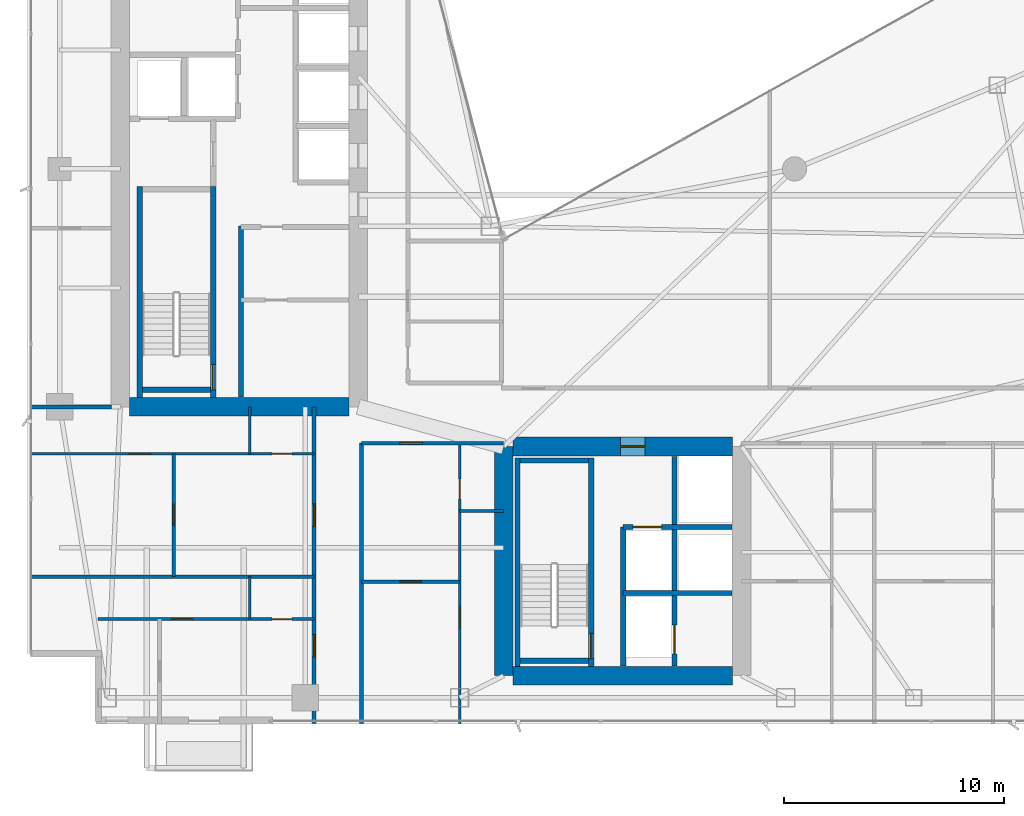
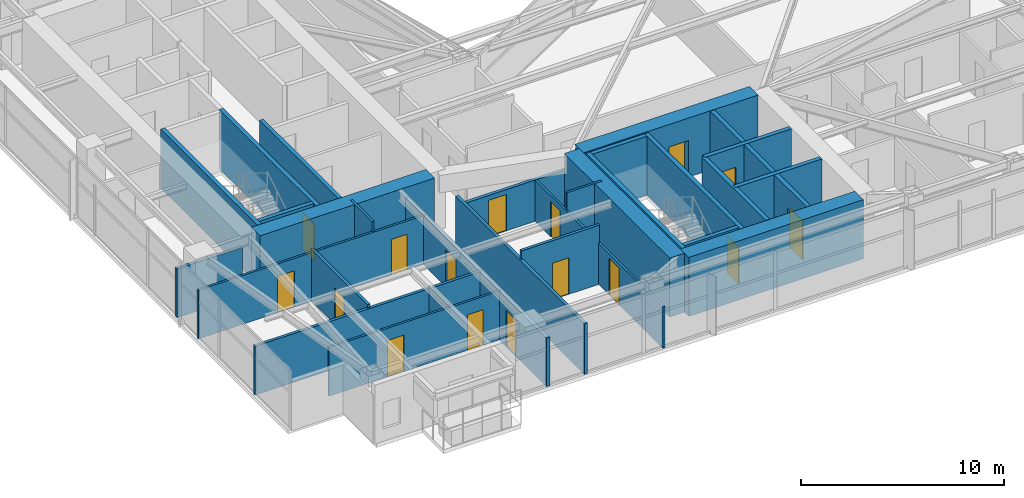
# One storey, part 22 of 28: 29 walls, 16 doors, 16 openings.
"""IFC4 building model written with IfcOpenShell, lengths in metres."""

from ifc_helpers import new_model, si_unit, direction, frame, frame_2d, origin, place, context, subcontext, project, spatial, rectangle, extrude, material, layer, layer_set, type_object, element, fill, save


model = new_model("IFC4")

# Units and contexts
model_context = context("Model", 3, precision=1e-05, world=origin(), true_north=direction((0.0, 1.0)))
body_context = subcontext(model_context, "Body", "Model", "MODEL_VIEW")
ifc_project = project(units=[si_unit("LENGTHUNIT", "METRE"), si_unit("AREAUNIT", "SQUARE_METRE"), si_unit("VOLUMEUNIT", "CUBIC_METRE"), si_unit("PLANEANGLEUNIT", "RADIAN"), si_unit("MASSUNIT", "GRAM", prefix="KILO")], contexts=[model_context])

# Site, building, storey
site_placement = place(None, origin())
site = spatial("IfcSite", under=ifc_project, at=site_placement, CompositionType="ELEMENT")
building_placement = place(site_placement, origin())
building = spatial("IfcBuilding", under=site, at=building_placement, Name="Calvorn Quay Hotel", CompositionType="ELEMENT")
storey_placement = place(building_placement, frame((0.0, 0.0, 156.10009765625)))
storey = spatial("IfcBuildingStorey", under=building, at=storey_placement, Name="L38", CompositionType="ELEMENT", Elevation=156.10009765625)

# Walls
ifc_material_1 = material(Name="Concrete C50", Category="concrete")
ifc_layer_1 = layer(ifc_material_1, 0.85009765625)
ifc_layer_set_1 = layer_set([ifc_layer_1], Name="WL-CORE-850")
wall_type_1 = type_object("IfcWallType", Name="WL-CORE-850", PredefinedType="SHEAR", material=ifc_layer_set_1)
wall_1_placement = place(storey_placement, frame((4.625, 16.800048828125, 0.0), z_axis=(0.0, 0.0, 1.0), x_axis=(1.0, 0.0, 0.0)))
element("IfcWall", 1, at=wall_1_placement, inside=storey, type_object=wall_type_1, Name="West Core Shear Wall S (L38)", PredefinedType="SHEAR", context=body_context, shape_type="SweptSolid", body=[
    extrude(rectangle(XDim=9.949951171875, YDim=0.85009765625, at=frame_2d((4.97509765625, 0.0))), origin(), (0.0, 0.0, 1.0), 3.559814453125),
])
wall_2_placement = place(storey_placement, frame((21.60009765625, 4.60009765625, 0.0), z_axis=(0.0, 0.0, 1.0), x_axis=(0.0, 1.0, 0.0)))
element("IfcWall", 2, at=wall_2_placement, inside=storey, type_object=wall_type_1, Name="East Core Shear Wall W (L38)", PredefinedType="SHEAR", context=body_context, shape_type="SweptSolid", body=[
    extrude(rectangle(XDim=10.39990234375, YDim=0.85009765625, at=frame_2d((5.199951171875, 0.0))), origin(), (0.0, 0.0, 1.0), 3.559814453125),
])

# Wall, opening, door
wall_3_placement = place(storey_placement, frame((22.02490234375, 15.0, 0.0), z_axis=(0.0, 0.0, 1.0), x_axis=(1.0, 0.0, 0.0)))
wall_3 = element("IfcWall", 3, at=wall_3_placement, inside=storey, type_object=wall_type_1, Name="East Core Shear Wall N (L38)", PredefinedType="SHEAR", context=body_context, shape_type="SweptSolid", body=[
    extrude(rectangle(XDim=9.9501953125, YDim=0.85009765625, at=frame_2d((4.97509765625, 0.0))), origin(), (0.0, 0.0, 1.0), 3.559814453125),
])
opening_1_placement = place(wall_3_placement, frame((4.8798828125, 0.0, 0.0)))
opening_1 = element("IfcOpeningElement", 4, at=opening_1_placement, cuts=wall_3, Name="Opening D-L38-FLE", PredefinedType="OPENING", context=body_context, shape_type="SweptSolid", body=[
    extrude(rectangle(XDim=1.10009765625, YDim=2.199951171875, at=frame_2d((0.550048828125, 1.10009765625))), frame((0.0, 0.43505859375, 0.0), z_axis=(0.0, -1.0, 0.0), x_axis=(1.0, 0.0, 0.0)), (0.0, 0.0, 1.0), 0.8701171875),
])
ifc_material_2 = material(Name="Smoke-Sealed Steel Class A Fire Door", Category="steel")
door_type_1 = type_object("IfcDoorType", Name="DR-FFLOBBY-1100", OperationType="NOTDEFINED", PredefinedType="DOOR", material=ifc_material_2)
door_1_placement = place(opening_1_placement, origin())
door_1 = element("IfcDoor", 5, at=door_1_placement, inside=storey, type_object=door_type_1, Name="East Firefighting Lobby Fire Door (L38)", OperationType="SINGLE_SWING_RIGHT", OverallHeight=2.199951171875, OverallWidth=1.10009765625, PredefinedType="DOOR", context=body_context, shape_type="SweptSolid", body=[
    extrude(rectangle(XDim=1.10009765625, YDim=2.199951171875, at=frame_2d((0.550048828125, 1.10009765625))), frame((0.0, 0.02490234375, 0.0), z_axis=(0.0, -1.0, 0.0), x_axis=(1.0, 0.0, 0.0)), (0.0, 0.0, 1.0), 0.050048828125),
])
fill(opening_1, door_1)

# Walls
wall_4_placement = place(storey_placement, frame((22.02490234375, 4.60009765625, 0.0), z_axis=(0.0, 0.0, 1.0), x_axis=(1.0, 0.0, 0.0)))
element("IfcWall", 6, at=wall_4_placement, inside=storey, type_object=wall_type_1, Name="East Core Shear Wall S (L38)", PredefinedType="SHEAR", context=body_context, shape_type="SweptSolid", body=[
    extrude(rectangle(XDim=9.9501953125, YDim=0.85009765625, at=frame_2d((4.97509765625, 0.0))), origin(), (0.0, 0.0, 1.0), 3.559814453125),
])
ifc_material_3 = material(Name="Acoustic Fireboard Steel-Stud Partition", Category="steel")
ifc_layer_2 = layer(ifc_material_3, 0.179931640625)
ifc_layer_set_2 = layer_set([ifc_layer_2], Name="WL-CORR-FIRE-180")
wall_type_2 = type_object("IfcWallType", Name="WL-CORR-FIRE-180", PredefinedType="PARTITIONING", material=ifc_layer_set_2)
wall_5_placement = place(storey_placement, frame((0.080078125, 16.800048828125, 0.0), z_axis=(0.0, 0.0, 1.0), x_axis=(1.0, 0.0, 0.0)))
element("IfcWall", 7, at=wall_5_placement, inside=storey, type_object=wall_type_2, Name="Partition Wall L38-WL-WBAY-S-WALL", PredefinedType="PARTITIONING", context=body_context, shape_type="SweptSolid", body=[
    extrude(rectangle(XDim=3.724853515625, YDim=0.179931640625, at=frame_2d((1.8623046875, 0.0))), origin(), (0.0, 0.0, 1.0), 2.93994140625),
])

# Wall, openings, doors
wall_6_placement = place(storey_placement, frame((13.0, 2.43994140625, 0.0), z_axis=(0.0, 0.0, 1.0), x_axis=(0.0, 1.0, 0.0)))
wall_6 = element("IfcWall", 8, at=wall_6_placement, inside=storey, type_object=wall_type_2, Name="Partition Wall L38-WL-CORR-SW-LEG-W", PredefinedType="PARTITIONING", context=body_context, shape_type="SweptSolid", body=[
    extrude(rectangle(XDim=14.360107421875, YDim=0.179931640625, at=frame_2d((7.18017578125, 0.0))), origin(), (0.0, 0.0, 1.0), 2.93994140625),
])
opening_2_placement = place(wall_6_placement, frame((3.010009765625, 0.0, 0.0)))
opening_2 = element("IfcOpeningElement", 9, at=opening_2_placement, cuts=wall_6, Name="Opening D-L38-U01", PredefinedType="OPENING", context=body_context, shape_type="SweptSolid", body=[
    extrude(rectangle(XDim=1.02001953125, YDim=2.199951171875, at=frame_2d((0.510009765625, 1.10009765625))), frame((0.0, 0.099853515625, 0.0), z_axis=(0.0, -1.0, 0.0), x_axis=(1.0, 0.0, 0.0)), (0.0, 0.0, 1.0), 0.199951171875),
])
opening_3_placement = place(wall_6_placement, frame((8.93994140625, 0.0, 0.0)))
opening_3 = element("IfcOpeningElement", 10, at=opening_3_placement, cuts=wall_6, Name="Opening D-L38-U02", PredefinedType="OPENING", context=body_context, shape_type="SweptSolid", body=[
    extrude(rectangle(XDim=1.02001953125, YDim=2.199951171875, at=frame_2d((0.510009765625, 1.10009765625))), frame((0.0, 0.099853515625, 0.0), z_axis=(0.0, -1.0, 0.0), x_axis=(1.0, 0.0, 0.0)), (0.0, 0.0, 1.0), 0.199951171875),
])
ifc_material_4 = material(Name="Solid-Core Walnut Veneer Hotel Fire Door")
door_type_2 = type_object("IfcDoorType", Name="DR-GUEST-ENTRY-1020", OperationType="NOTDEFINED", PredefinedType="DOOR", material=ifc_material_4)
door_2_placement = place(opening_2_placement, origin())
door_2 = element("IfcDoor", 11, at=door_2_placement, inside=storey, type_object=door_type_2, Name="South-West Unit Door U01 (L38)", OperationType="SINGLE_SWING_LEFT", OverallHeight=2.199951171875, OverallWidth=1.02001953125, PredefinedType="DOOR", context=body_context, shape_type="SweptSolid", body=[
    extrude(rectangle(XDim=1.02001953125, YDim=2.199951171875, at=frame_2d((0.510009765625, 1.10009765625))), frame((0.0, 0.02490234375, 0.0), z_axis=(0.0, -1.0, 0.0), x_axis=(1.0, 0.0, 0.0)), (0.0, 0.0, 1.0), 0.050048828125),
])
fill(opening_2, door_2)
door_3_placement = place(opening_3_placement, origin())
door_3 = element("IfcDoor", 12, at=door_3_placement, inside=storey, type_object=door_type_2, Name="South-West Unit Door U02 (L38)", OperationType="SINGLE_SWING_RIGHT", OverallHeight=2.199951171875, OverallWidth=1.02001953125, PredefinedType="DOOR", context=body_context, shape_type="SweptSolid", body=[
    extrude(rectangle(XDim=1.02001953125, YDim=2.199951171875, at=frame_2d((0.510009765625, 1.10009765625))), frame((0.0, 0.02490234375, 0.0), z_axis=(0.0, -1.0, 0.0), x_axis=(1.0, 0.0, 0.0)), (0.0, 0.0, 1.0), 0.050048828125),
])
fill(opening_3, door_3)

# Wall
wall_7_placement = place(storey_placement, frame((15.14990234375, 2.43994140625, 0.0), z_axis=(0.0, 0.0, 1.0), x_axis=(0.0, 1.0, 0.0)))
element("IfcWall", 13, at=wall_7_placement, inside=storey, type_object=wall_type_2, Name="Partition Wall L38-WL-CORR-SW-W", PredefinedType="PARTITIONING", context=body_context, shape_type="SweptSolid", body=[
    extrude(rectangle(XDim=12.7099609375, YDim=0.179931640625, at=frame_2d((6.35498046875, 0.0))), origin(), (0.0, 0.0, 1.0), 3.039794921875),
])

# Wall, opening, door
wall_8_placement = place(storey_placement, frame((15.14990234375, 15.14990234375, 0.0), z_axis=(0.0, 0.0, 1.0), x_axis=(1.0, 0.0, 0.0)))
wall_8 = element("IfcWall", 14, at=wall_8_placement, inside=storey, type_object=wall_type_2, Name="Partition Wall L38-WL-SC-CORR-S", PredefinedType="PARTITIONING", context=body_context, shape_type="SweptSolid", body=[
    extrude(rectangle(XDim=6.4501953125, YDim=0.179931640625, at=frame_2d((3.22509765625, 0.0))), origin(), (0.0, 0.0, 1.0), 2.489990234375),
])
opening_4_placement = place(wall_8_placement, frame((1.739990234375, 0.0, 0.0)))
opening_4 = element("IfcOpeningElement", 15, at=opening_4_placement, cuts=wall_8, Name="Opening D-L38-U03", PredefinedType="OPENING", context=body_context, shape_type="SweptSolid", body=[
    extrude(rectangle(XDim=1.02001953125, YDim=2.199951171875, at=frame_2d((0.510009765625, 1.10009765625))), frame((0.0, 0.099853515625, 0.0), z_axis=(0.0, -1.0, 0.0), x_axis=(1.0, 0.0, 0.0)), (0.0, 0.0, 1.0), 0.199951171875),
])
door_4_placement = place(opening_4_placement, origin())
door_4 = element("IfcDoor", 16, at=door_4_placement, inside=storey, type_object=door_type_2, Name="Harbour Central Unit Door (L38)", OperationType="SINGLE_SWING_LEFT", OverallHeight=2.199951171875, OverallWidth=1.02001953125, PredefinedType="DOOR", context=body_context, shape_type="SweptSolid", body=[
    extrude(rectangle(XDim=1.02001953125, YDim=2.199951171875, at=frame_2d((0.510009765625, 1.10009765625))), frame((0.0, 0.02490234375, 0.0), z_axis=(0.0, -1.0, 0.0), x_axis=(1.0, 0.0, 0.0)), (0.0, 0.0, 1.0), 0.050048828125),
])
fill(opening_4, door_4)

# Wall
ifc_material_5 = material(Name="Moisture-Resistant Tile-Backed Partition")
ifc_layer_3 = layer(ifc_material_5, 0.125)
ifc_layer_set_3 = layer_set([ifc_layer_3], Name="WL-ENSUITE-125")
wall_type_3 = type_object("IfcWallType", Name="WL-ENSUITE-125", PredefinedType="PARTITIONING", material=ifc_layer_set_3)
wall_9_placement = place(storey_placement, frame((10.080078125, 7.169921875, 0.0), z_axis=(0.0, 0.0, 1.0), x_axis=(0.0, 1.0, 0.0)))
element("IfcWall", 17, at=wall_9_placement, inside=storey, type_object=wall_type_3, Name="Partition Wall L38-WL-U01-BDV", PredefinedType="PARTITIONING", context=body_context, shape_type="SweptSolid", body=[
    extrude(rectangle(XDim=1.93017578125, YDim=0.125, at=frame_2d((0.965087890625, 0.0))), origin(), (0.0, 0.0, 1.0), 3.08984375),
])

# Wall, openings, doors
wall_10_placement = place(storey_placement, frame((3.199951171875, 7.169921875, 0.0), z_axis=(0.0, 0.0, 1.0), x_axis=(1.0, 0.0, 0.0)))
wall_10 = element("IfcWall", 18, at=wall_10_placement, inside=storey, type_object=wall_type_3, Name="Partition Wall L38-WL-U01-BH", PredefinedType="PARTITIONING", context=body_context, shape_type="SweptSolid", body=[
    extrude(rectangle(XDim=9.800048828125, YDim=0.125, at=frame_2d((4.89990234375, 0.0))), origin(), (0.0, 0.0, 1.0), 2.93994140625),
])
opening_5_placement = place(wall_10_placement, frame((3.320068359375, 0.0, 0.0)))
opening_5 = element("IfcOpeningElement", 19, at=opening_5_placement, cuts=wall_10, Name="Opening D-L38-S01", PredefinedType="OPENING", context=body_context, shape_type="SweptSolid", body=[
    extrude(rectangle(XDim=0.9599609375, YDim=2.199951171875, at=frame_2d((0.47998046875, 1.10009765625))), frame((0.0, 0.072509765625, 0.0), z_axis=(0.0, -1.0, 0.0), x_axis=(1.0, 0.0, 0.0)), (0.0, 0.0, 1.0), 0.14501953125),
])
opening_6_placement = place(wall_10_placement, frame((7.889892578125, 0.0, 0.0)))
opening_6 = element("IfcOpeningElement", 20, at=opening_6_placement, cuts=wall_10, Name="Opening D-L38-E01", PredefinedType="OPENING", context=body_context, shape_type="SweptSolid", body=[
    extrude(rectangle(XDim=0.89990234375, YDim=2.14990234375, at=frame_2d((0.449951171875, 1.074951171875))), frame((0.0, 0.072509765625, 0.0), z_axis=(0.0, -1.0, 0.0), x_axis=(1.0, 0.0, 0.0)), (0.0, 0.0, 1.0), 0.14501953125),
])
ifc_material_6 = material(Name="Moisture-Sealed Timber En-Suite Door", Category="wood")
door_type_3 = type_object("IfcDoorType", Name="DR-ENSUITE-900", OperationType="NOTDEFINED", PredefinedType="DOOR", material=ifc_material_6)
door_5_placement = place(opening_6_placement, origin())
door_5 = element("IfcDoor", 21, at=door_5_placement, inside=storey, type_object=door_type_3, Name="En-Suite Door 01", OperationType="SINGLE_SWING_RIGHT", OverallHeight=2.14990234375, OverallWidth=0.89990234375, PredefinedType="DOOR", context=body_context, shape_type="SweptSolid", body=[
    extrude(rectangle(XDim=0.89990234375, YDim=2.14990234375, at=frame_2d((0.449951171875, 1.074951171875))), frame((0.0, 0.02490234375, 0.0), z_axis=(0.0, -1.0, 0.0), x_axis=(1.0, 0.0, 0.0)), (0.0, 0.0, 1.0), 0.050048828125),
])
fill(opening_6, door_5)
ifc_material_7 = material(Name="Solid Timber Internal Suite Door", Category="wood")
door_type_4 = type_object("IfcDoorType", Name="DR-SUITE-INT-960", OperationType="NOTDEFINED", PredefinedType="DOOR", material=ifc_material_7)
door_6_placement = place(opening_5_placement, origin())
door_6 = element("IfcDoor", 22, at=door_6_placement, inside=storey, type_object=door_type_4, Name="Spa Therapy Room Door 01", OperationType="SINGLE_SWING_LEFT", OverallHeight=2.199951171875, OverallWidth=0.9599609375, PredefinedType="DOOR", context=body_context, shape_type="SweptSolid", body=[
    extrude(rectangle(XDim=0.9599609375, YDim=2.199951171875, at=frame_2d((0.47998046875, 1.10009765625))), frame((0.0, 0.02490234375, 0.0), z_axis=(0.0, -1.0, 0.0), x_axis=(1.0, 0.0, 0.0)), (0.0, 0.0, 1.0), 0.050048828125),
])
fill(opening_5, door_6)

# Wall
wall_11_placement = place(storey_placement, frame((10.080078125, 14.669921875, 0.0), z_axis=(0.0, 0.0, 1.0), x_axis=(0.0, 1.0, 0.0)))
element("IfcWall", 23, at=wall_11_placement, inside=storey, type_object=wall_type_3, Name="Partition Wall L38-WL-U02-BDV", PredefinedType="PARTITIONING", context=body_context, shape_type="SweptSolid", body=[
    extrude(rectangle(XDim=2.130126953125, YDim=0.125, at=frame_2d((1.06494140625, 0.0))), origin(), (0.0, 0.0, 1.0), 3.559814453125),
])

# Wall, openings, doors
wall_12_placement = place(storey_placement, frame((0.080078125, 14.669921875, 0.0), z_axis=(0.0, 0.0, 1.0), x_axis=(1.0, 0.0, 0.0)))
wall_12 = element("IfcWall", 24, at=wall_12_placement, inside=storey, type_object=wall_type_3, Name="Partition Wall L38-WL-U02-BH", PredefinedType="PARTITIONING", context=body_context, shape_type="SweptSolid", body=[
    extrude(rectangle(XDim=12.919921875, YDim=0.125, at=frame_2d((6.4599609375, 0.0))), origin(), (0.0, 0.0, 1.0), 2.93994140625),
])
opening_7_placement = place(wall_12_placement, frame((4.52001953125, 0.0, 0.0)))
opening_7 = element("IfcOpeningElement", 25, at=opening_7_placement, cuts=wall_12, Name="Opening D-L38-S02", PredefinedType="OPENING", context=body_context, shape_type="SweptSolid", body=[
    extrude(rectangle(XDim=0.9599609375, YDim=2.199951171875, at=frame_2d((0.47998046875, 1.10009765625))), frame((0.0, 0.072509765625, 0.0), z_axis=(0.0, -1.0, 0.0), x_axis=(1.0, 0.0, 0.0)), (0.0, 0.0, 1.0), 0.14501953125),
])
opening_8_placement = place(wall_12_placement, frame((11.010009765625, 0.0, 0.0)))
opening_8 = element("IfcOpeningElement", 26, at=opening_8_placement, cuts=wall_12, Name="Opening D-L38-E02", PredefinedType="OPENING", context=body_context, shape_type="SweptSolid", body=[
    extrude(rectangle(XDim=0.89990234375, YDim=2.14990234375, at=frame_2d((0.449951171875, 1.074951171875))), frame((0.0, 0.072509765625, 0.0), z_axis=(0.0, -1.0, 0.0), x_axis=(1.0, 0.0, 0.0)), (0.0, 0.0, 1.0), 0.14501953125),
])
door_7_placement = place(opening_8_placement, origin())
door_7 = element("IfcDoor", 27, at=door_7_placement, inside=storey, type_object=door_type_3, Name="En-Suite Door 02", OperationType="SINGLE_SWING_RIGHT", OverallHeight=2.14990234375, OverallWidth=0.89990234375, PredefinedType="DOOR", context=body_context, shape_type="SweptSolid", body=[
    extrude(rectangle(XDim=0.89990234375, YDim=2.14990234375, at=frame_2d((0.449951171875, 1.074951171875))), frame((0.0, 0.02490234375, 0.0), z_axis=(0.0, -1.0, 0.0), x_axis=(1.0, 0.0, 0.0)), (0.0, 0.0, 1.0), 0.050048828125),
])
fill(opening_8, door_7)
door_8_placement = place(opening_7_placement, origin())
door_8 = element("IfcDoor", 28, at=door_8_placement, inside=storey, type_object=door_type_4, Name="Spa Therapy Room Door 02", OperationType="SINGLE_SWING_LEFT", OverallHeight=2.199951171875, OverallWidth=0.9599609375, PredefinedType="DOOR", context=body_context, shape_type="SweptSolid", body=[
    extrude(rectangle(XDim=0.9599609375, YDim=2.199951171875, at=frame_2d((0.47998046875, 1.10009765625))), frame((0.0, 0.02490234375, 0.0), z_axis=(0.0, -1.0, 0.0), x_axis=(1.0, 0.0, 0.0)), (0.0, 0.0, 1.0), 0.050048828125),
])
fill(opening_7, door_8)

# Wall
wall_13_placement = place(storey_placement, frame((19.60009765625, 12.070068359375, 0.0), z_axis=(0.0, 0.0, 1.0), x_axis=(1.0, 0.0, 0.0)))
element("IfcWall", 29, at=wall_13_placement, inside=storey, type_object=wall_type_3, Name="Partition Wall L38-WL-U03-BDV", PredefinedType="PARTITIONING", context=body_context, shape_type="SweptSolid", body=[
    extrude(rectangle(XDim=2.0, YDim=0.125, at=frame_2d((1.0, 0.0))), origin(), (0.0, 0.0, 1.0), 3.559814453125),
])

# Wall, openings, doors
wall_14_placement = place(storey_placement, frame((19.60009765625, 2.43994140625, 0.0), z_axis=(0.0, 0.0, 1.0), x_axis=(0.0, 1.0, 0.0)))
wall_14 = element("IfcWall", 30, at=wall_14_placement, inside=storey, type_object=wall_type_3, Name="Partition Wall L38-WL-U03-BV", PredefinedType="PARTITIONING", context=body_context, shape_type="SweptSolid", body=[
    extrude(rectangle(XDim=12.7099609375, YDim=0.125, at=frame_2d((6.35498046875, 0.0))), origin(), (0.0, 0.0, 1.0), 2.489990234375),
])
opening_9_placement = place(wall_14_placement, frame((4.340087890625, 0.0, 0.0)))
opening_9 = element("IfcOpeningElement", 31, at=opening_9_placement, cuts=wall_14, Name="Opening D-L38-S03", PredefinedType="OPENING", context=body_context, shape_type="SweptSolid", body=[
    extrude(rectangle(XDim=0.9599609375, YDim=2.199951171875, at=frame_2d((0.47998046875, 1.10009765625))), frame((0.0, 0.072509765625, 0.0), z_axis=(0.0, -1.0, 0.0), x_axis=(1.0, 0.0, 0.0)), (0.0, 0.0, 1.0), 0.14501953125),
])
opening_10_placement = place(wall_14_placement, frame((10.179931640625, 0.0, 0.0)))
opening_10 = element("IfcOpeningElement", 32, at=opening_10_placement, cuts=wall_14, Name="Opening D-L38-E03", PredefinedType="OPENING", context=body_context, shape_type="SweptSolid", body=[
    extrude(rectangle(XDim=0.89990234375, YDim=2.14990234375, at=frame_2d((0.449951171875, 1.074951171875))), frame((0.0, 0.072509765625, 0.0), z_axis=(0.0, -1.0, 0.0), x_axis=(1.0, 0.0, 0.0)), (0.0, 0.0, 1.0), 0.14501953125),
])
door_9_placement = place(opening_10_placement, origin())
door_9 = element("IfcDoor", 33, at=door_9_placement, inside=storey, type_object=door_type_3, Name="En-Suite Door 03", OperationType="SINGLE_SWING_RIGHT", OverallHeight=2.14990234375, OverallWidth=0.89990234375, PredefinedType="DOOR", context=body_context, shape_type="SweptSolid", body=[
    extrude(rectangle(XDim=0.89990234375, YDim=2.14990234375, at=frame_2d((0.449951171875, 1.074951171875))), frame((0.0, 0.02490234375, 0.0), z_axis=(0.0, -1.0, 0.0), x_axis=(1.0, 0.0, 0.0)), (0.0, 0.0, 1.0), 0.050048828125),
])
fill(opening_10, door_9)
door_10_placement = place(opening_9_placement, origin())
door_10 = element("IfcDoor", 34, at=door_10_placement, inside=storey, type_object=door_type_4, Name="Spa Therapy Room Door 03", OperationType="SINGLE_SWING_LEFT", OverallHeight=2.199951171875, OverallWidth=0.9599609375, PredefinedType="DOOR", context=body_context, shape_type="SweptSolid", body=[
    extrude(rectangle(XDim=0.9599609375, YDim=2.199951171875, at=frame_2d((0.47998046875, 1.10009765625))), frame((0.0, 0.02490234375, 0.0), z_axis=(0.0, -1.0, 0.0), x_axis=(1.0, 0.0, 0.0)), (0.0, 0.0, 1.0), 0.050048828125),
])
fill(opening_9, door_10)

# Wall, opening, door
ifc_material_8 = material(Name="Double-Stud Acoustic Gypsum Partition")
ifc_layer_4 = layer(ifc_material_8, 0.159912109375)
ifc_layer_set_4 = layer_set([ifc_layer_4], Name="WL-INTERSUITE-160")
wall_type_4 = type_object("IfcWallType", Name="WL-INTERSUITE-160", PredefinedType="PARTITIONING", material=ifc_layer_set_4)
wall_15_placement = place(storey_placement, frame((6.6201171875, 9.10009765625, 0.0), z_axis=(0.0, 0.0, 1.0), x_axis=(0.0, 1.0, 0.0)))
wall_15 = element("IfcWall", 35, at=wall_15_placement, inside=storey, type_object=wall_type_4, Name="Partition Wall L38-WL-U02-MSP", PredefinedType="PARTITIONING", context=body_context, shape_type="SweptSolid", body=[
    extrude(rectangle(XDim=5.56982421875, YDim=0.159912109375, at=frame_2d((2.784912109375, 0.0))), origin(), (0.0, 0.0, 1.0), 3.139892578125),
])
opening_11_placement = place(wall_15_placement, frame((2.31005859375, 0.0, 0.0)))
opening_11 = element("IfcOpeningElement", 36, at=opening_11_placement, cuts=wall_15, Name="Opening D-L38-M02", PredefinedType="OPENING", context=body_context, shape_type="SweptSolid", body=[
    extrude(rectangle(XDim=0.9599609375, YDim=2.199951171875, at=frame_2d((0.47998046875, 1.10009765625))), frame((0.0, 0.08984375, 0.0), z_axis=(0.0, -1.0, 0.0), x_axis=(1.0, 0.0, 0.0)), (0.0, 0.0, 1.0), 0.179931640625),
])
door_11_placement = place(opening_11_placement, origin())
door_11 = element("IfcDoor", 37, at=door_11_placement, inside=storey, type_object=door_type_4, Name="Suite Bedroom Door 02", OperationType="SINGLE_SWING_LEFT", OverallHeight=2.199951171875, OverallWidth=0.9599609375, PredefinedType="DOOR", context=body_context, shape_type="SweptSolid", body=[
    extrude(rectangle(XDim=0.9599609375, YDim=2.199951171875, at=frame_2d((0.47998046875, 1.10009765625))), frame((0.0, 0.02490234375, 0.0), z_axis=(0.0, -1.0, 0.0), x_axis=(1.0, 0.0, 0.0)), (0.0, 0.0, 1.0), 0.050048828125),
])
fill(opening_11, door_11)

# Wall
wall_16_placement = place(storey_placement, frame((0.080078125, 9.10009765625, 0.0), z_axis=(0.0, 0.0, 1.0), x_axis=(1.0, 0.0, 0.0)))
element("IfcWall", 38, at=wall_16_placement, inside=storey, type_object=wall_type_4, Name="Partition Wall L38-WL-SW-DIV-1", PredefinedType="PARTITIONING", context=body_context, shape_type="SweptSolid", body=[
    extrude(rectangle(XDim=12.919921875, YDim=0.159912109375, at=frame_2d((6.4599609375, 0.0))), origin(), (0.0, 0.0, 1.0), 2.93994140625),
])

# Wall, opening, door
wall_17_placement = place(storey_placement, frame((15.14990234375, 8.8701171875, 0.0), z_axis=(0.0, 0.0, 1.0), x_axis=(1.0, 0.0, 0.0)))
wall_17 = element("IfcWall", 39, at=wall_17_placement, inside=storey, type_object=wall_type_4, Name="Partition Wall L38-WL-U03-MSP", PredefinedType="PARTITIONING", context=body_context, shape_type="SweptSolid", body=[
    extrude(rectangle(XDim=4.4501953125, YDim=0.159912109375, at=frame_2d((2.22509765625, 0.0))), origin(), (0.0, 0.0, 1.0), 3.559814453125),
])
opening_12_placement = place(wall_17_placement, frame((1.75, 0.0, 0.0)))
opening_12 = element("IfcOpeningElement", 40, at=opening_12_placement, cuts=wall_17, Name="Opening D-L38-M03", PredefinedType="OPENING", context=body_context, shape_type="SweptSolid", body=[
    extrude(rectangle(XDim=0.9599609375, YDim=2.199951171875, at=frame_2d((0.47998046875, 1.10009765625))), frame((0.0, 0.08984375, 0.0), z_axis=(0.0, -1.0, 0.0), x_axis=(1.0, 0.0, 0.0)), (0.0, 0.0, 1.0), 0.179931640625),
])
door_12_placement = place(opening_12_placement, origin())
door_12 = element("IfcDoor", 41, at=door_12_placement, inside=storey, type_object=door_type_4, Name="Suite Bedroom Door 03", OperationType="SINGLE_SWING_LEFT", OverallHeight=2.199951171875, OverallWidth=0.9599609375, PredefinedType="DOOR", context=body_context, shape_type="SweptSolid", body=[
    extrude(rectangle(XDim=0.9599609375, YDim=2.199951171875, at=frame_2d((0.47998046875, 1.10009765625))), frame((0.0, 0.02490234375, 0.0), z_axis=(0.0, -1.0, 0.0), x_axis=(1.0, 0.0, 0.0)), (0.0, 0.0, 1.0), 0.050048828125),
])
fill(opening_12, door_12)

# Walls
ifc_material_9 = material(Name="Autoclaved Aerated Masonry Block", Category="masonry")
ifc_layer_5 = layer(ifc_material_9, 0.219970703125)
ifc_layer_set_5 = layer_set([ifc_layer_5], Name="WL-LOBBY-FIRE-220")
wall_type_5 = type_object("IfcWallType", Name="WL-LOBBY-FIRE-220", PredefinedType="SOLIDWALL", material=ifc_layer_set_5)
wall_18_placement = place(storey_placement, frame((9.679931640625, 17.2451171875, 0.0), z_axis=(0.0, 0.0, 1.0), x_axis=(0.0, 1.0, 0.0)))
element("IfcWall", 42, at=wall_18_placement, inside=storey, type_object=wall_type_5, Name="Partition Wall L38-WL-CWW-STW-HALL-E", PredefinedType="SOLIDWALL", context=body_context, shape_type="SweptSolid", body=[
    extrude(rectangle(XDim=7.7548828125, YDim=0.219970703125, at=frame_2d((3.87744140625, 0.0))), origin(), (0.0, 0.0, 1.0), 3.559814453125),
])
ifc_material_10 = material(Name="Concrete C40", Category="concrete")
ifc_layer_6 = layer(ifc_material_10, 0.239990234375)
ifc_layer_set_6 = layer_set([ifc_layer_6], Name="WL-SHAFT-240")
wall_type_6 = type_object("IfcWallType", Name="WL-SHAFT-240", PredefinedType="SOLIDWALL", material=ifc_layer_set_6)
wall_19_placement = place(storey_placement, frame((5.080078125, 17.22509765625, 0.0), z_axis=(0.0, 0.0, 1.0), x_axis=(0.0, 1.0, 0.0)))
element("IfcWall", 43, at=wall_19_placement, inside=storey, type_object=wall_type_6, Name="Stair STW Shaft Wall W (L38)", PredefinedType="SOLIDWALL", context=body_context, shape_type="SweptSolid", body=[
    extrude(rectangle(XDim=9.56494140625, YDim=0.239990234375, at=frame_2d((4.782470703125, 0.0))), origin(), (0.0, 0.0, 1.0), 3.559814453125),
])

# Wall, opening, door
wall_20_placement = place(storey_placement, frame((8.419921875, 17.22509765625, 0.0), z_axis=(0.0, 0.0, 1.0), x_axis=(0.0, 1.0, 0.0)))
wall_20 = element("IfcWall", 44, at=wall_20_placement, inside=storey, type_object=wall_type_6, Name="Stair STW Shaft Wall E (L38)", PredefinedType="SOLIDWALL", context=body_context, shape_type="SweptSolid", body=[
    extrude(rectangle(XDim=9.56494140625, YDim=0.239990234375, at=frame_2d((4.782470703125, 0.0))), origin(), (0.0, 0.0, 1.0), 3.559814453125),
])
opening_13_placement = place(wall_20_placement, frame((0.35009765625, 0.0, 0.0)))
opening_13 = element("IfcOpeningElement", 45, at=opening_13_placement, cuts=wall_20, Name="Opening D-L38-STW", PredefinedType="OPENING", context=body_context, shape_type="SweptSolid", body=[
    extrude(rectangle(XDim=1.14990234375, YDim=2.199951171875, at=frame_2d((0.574951171875, 1.10009765625))), frame((0.0, 0.1298828125, 0.0), z_axis=(0.0, -1.0, 0.0), x_axis=(1.0, 0.0, 0.0)), (0.0, 0.0, 1.0), 0.260009765625),
])
ifc_material_11 = material(Name="Galvanised Steel Class A Fire Door", Category="steel")
door_type_5 = type_object("IfcDoorType", Name="DR-STAIR-SMOKE-1150", OperationType="NOTDEFINED", PredefinedType="DOOR", material=ifc_material_11)
door_13_placement = place(opening_13_placement, origin())
door_13 = element("IfcDoor", 46, at=door_13_placement, inside=storey, type_object=door_type_5, Name="Stair ST-W Fire Door (L38)", OperationType="SINGLE_SWING_LEFT", OverallHeight=2.199951171875, OverallWidth=1.14990234375, PredefinedType="DOOR", context=body_context, shape_type="SweptSolid", body=[
    extrude(rectangle(XDim=1.14990234375, YDim=2.199951171875, at=frame_2d((0.574951171875, 1.10009765625))), frame((0.0, 0.02490234375, 0.0), z_axis=(0.0, -1.0, 0.0), x_axis=(1.0, 0.0, 0.0)), (0.0, 0.0, 1.0), 0.050048828125),
])
fill(opening_13, door_13)

# Walls
wall_21_placement = place(storey_placement, frame((5.199951171875, 17.580078125, 0.0), z_axis=(0.0, 0.0, 1.0), x_axis=(1.0, 0.0, 0.0)))
element("IfcWall", 47, at=wall_21_placement, inside=storey, type_object=wall_type_6, Name="Stair STW Shaft Wall S (L38)", PredefinedType="SOLIDWALL", context=body_context, shape_type="SweptSolid", body=[
    extrude(rectangle(XDim=3.10009765625, YDim=0.239990234375, at=frame_2d((1.550048828125, 0.0))), origin(), (0.0, 0.0, 1.0), 3.559814453125),
])
wall_22_placement = place(storey_placement, frame((22.22998046875, 5.02490234375, 0.0), z_axis=(0.0, 0.0, 1.0), x_axis=(0.0, 1.0, 0.0)))
element("IfcWall", 48, at=wall_22_placement, inside=storey, type_object=wall_type_6, Name="Stair STE Shaft Wall W (L38)", PredefinedType="SOLIDWALL", context=body_context, shape_type="SweptSolid", body=[
    extrude(rectangle(XDim=9.465087890625, YDim=0.239990234375, at=frame_2d((4.732421875, 0.0))), origin(), (0.0, 0.0, 1.0), 3.559814453125),
])

# Wall, opening, door
wall_23_placement = place(storey_placement, frame((25.570068359375, 5.02490234375, 0.0), z_axis=(0.0, 0.0, 1.0), x_axis=(0.0, 1.0, 0.0)))
wall_23 = element("IfcWall", 49, at=wall_23_placement, inside=storey, type_object=wall_type_6, Name="Stair STE Shaft Wall E (L38)", PredefinedType="SOLIDWALL", context=body_context, shape_type="SweptSolid", body=[
    extrude(rectangle(XDim=9.465087890625, YDim=0.239990234375, at=frame_2d((4.732421875, 0.0))), origin(), (0.0, 0.0, 1.0), 3.559814453125),
])
opening_14_placement = place(wall_23_placement, frame((0.35009765625, 0.0, 0.0)))
opening_14 = element("IfcOpeningElement", 50, at=opening_14_placement, cuts=wall_23, Name="Opening D-L38-STE", PredefinedType="OPENING", context=body_context, shape_type="SweptSolid", body=[
    extrude(rectangle(XDim=1.14990234375, YDim=2.199951171875, at=frame_2d((0.574951171875, 1.10009765625))), frame((0.0, 0.1298828125, 0.0), z_axis=(0.0, -1.0, 0.0), x_axis=(1.0, 0.0, 0.0)), (0.0, 0.0, 1.0), 0.260009765625),
])
door_14_placement = place(opening_14_placement, origin())
door_14 = element("IfcDoor", 51, at=door_14_placement, inside=storey, type_object=door_type_5, Name="Stair ST-E Fire Door (L38)", OperationType="SINGLE_SWING_RIGHT", OverallHeight=2.199951171875, OverallWidth=1.14990234375, PredefinedType="DOOR", context=body_context, shape_type="SweptSolid", body=[
    extrude(rectangle(XDim=1.14990234375, YDim=2.199951171875, at=frame_2d((0.574951171875, 1.10009765625))), frame((0.0, 0.02490234375, 0.0), z_axis=(0.0, -1.0, 0.0), x_axis=(1.0, 0.0, 0.0)), (0.0, 0.0, 1.0), 0.050048828125),
])
fill(opening_14, door_14)

# Walls
for number, where, z_axis, x_axis, name in (
    (52, (22.35009765625, 5.280029296875, 0.0), (0.0, 0.0, 1.0), (1.0, 0.0, 0.0), "Stair STE Shaft Wall S (L38)"),
    (53, (22.35009765625, 14.3701171875, 0.0), (0.0, 0.0, 1.0), (1.0, 0.0, 0.0), "Stair STE Shaft Wall N (L38)"),
):
    element("IfcWall", number, at=place(storey_placement, frame(where, z_axis=z_axis, x_axis=x_axis)), inside=storey, type_object=wall_type_6, Name=name, PredefinedType="SOLIDWALL", context=body_context, shape_type="SweptSolid", body=[
        extrude(rectangle(XDim=3.099853515625, YDim=0.239990234375, at=frame_2d((1.5498046875, 0.0))), origin(), (0.0, 0.0, 1.0), 3.559814453125),
    ])
wall_24_placement = place(storey_placement, frame((27.02001953125, 5.044921875, 0.0), z_axis=(0.0, 0.0, 1.0), x_axis=(0.0, 1.0, 0.0)))
element("IfcWall", 54, at=wall_24_placement, inside=storey, type_object=wall_type_6, Name="Partition Wall L38-WL-CWE-SH-W", PredefinedType="SOLIDWALL", context=body_context, shape_type="SweptSolid", body=[
    extrude(rectangle(XDim=6.30517578125, YDim=0.239990234375, at=frame_2d((3.152587890625, 0.0))), origin(), (0.0, 0.0, 1.0), 3.559814453125),
])

# Wall, opening, door
wall_25_placement = place(storey_placement, frame((27.02001953125, 11.35009765625, 0.0), z_axis=(0.0, 0.0, 1.0), x_axis=(1.0, 0.0, 0.0)))
wall_25 = element("IfcWall", 55, at=wall_25_placement, inside=storey, type_object=wall_type_6, Name="Partition Wall L38-WL-CWE-FFL-S", PredefinedType="SOLIDWALL", context=body_context, shape_type="SweptSolid", body=[
    extrude(rectangle(XDim=4.93505859375, YDim=0.239990234375, at=frame_2d((2.467529296875, 0.0))), origin(), (0.0, 0.0, 1.0), 3.559814453125),
])
opening_15_placement = place(wall_25_placement, frame((0.449951171875, 0.0, 0.0)))
opening_15 = element("IfcOpeningElement", 56, at=opening_15_placement, cuts=wall_25, Name="Opening LD-L38-FLE1", PredefinedType="OPENING", context=body_context, shape_type="SweptSolid", body=[
    extrude(rectangle(XDim=1.300048828125, YDim=2.35009765625, at=frame_2d((0.64990234375, 1.175048828125))), frame((0.0, 0.1298828125, 0.0), z_axis=(0.0, -1.0, 0.0), x_axis=(1.0, 0.0, 0.0)), (0.0, 0.0, 1.0), 0.260009765625),
])
ifc_material_12 = material(Name="Champagne-Bronze Sliding Express Lift Landing Door")
door_type_6 = type_object("IfcDoorType", Name="DR-LIFT-SHUTTLE-1300", OperationType="NOTDEFINED", PredefinedType="DOOR", material=ifc_material_12)
door_15_placement = place(opening_15_placement, origin())
door_15 = element("IfcDoor", 57, at=door_15_placement, inside=storey, type_object=door_type_6, Name="Firefighting Lift FL-E1 Landing Door (L38)", OperationType="DOUBLE_DOOR_SLIDING", OverallHeight=2.35009765625, OverallWidth=1.300048828125, PredefinedType="DOOR", context=body_context, shape_type="SweptSolid", body=[
    extrude(rectangle(XDim=1.300048828125, YDim=2.35009765625, at=frame_2d((0.64990234375, 1.175048828125))), frame((0.0, 0.02490234375, 0.0), z_axis=(0.0, -1.0, 0.0), x_axis=(1.0, 0.0, 0.0)), (0.0, 0.0, 1.0), 0.050048828125),
])
fill(opening_15, door_15)

# Wall
wall_26_placement = place(storey_placement, frame((27.02001953125, 8.35009765625, 0.0), z_axis=(0.0, 0.0, 1.0), x_axis=(1.0, 0.0, 0.0)))
element("IfcWall", 58, at=wall_26_placement, inside=storey, type_object=wall_type_6, Name="Partition Wall L38-WL-CWE-SL-N", PredefinedType="SOLIDWALL", context=body_context, shape_type="SweptSolid", body=[
    extrude(rectangle(XDim=4.93505859375, YDim=0.239990234375, at=frame_2d((2.467529296875, 0.0))), origin(), (0.0, 0.0, 1.0), 3.559814453125),
])

# Wall, opening, door
wall_27_placement = place(storey_placement, frame((29.35009765625, 5.044921875, 0.0), z_axis=(0.0, 0.0, 1.0), x_axis=(0.0, 1.0, 0.0)))
wall_27 = element("IfcWall", 59, at=wall_27_placement, inside=storey, type_object=wall_type_6, Name="Partition Wall L38-WL-CWE-OB-W", PredefinedType="SOLIDWALL", context=body_context, shape_type="SweptSolid", body=[
    extrude(rectangle(XDim=9.510009765625, YDim=0.239990234375, at=frame_2d((4.7548828125, 0.0))), origin(), (0.0, 0.0, 1.0), 3.559814453125),
])
opening_16_placement = place(wall_27_placement, frame((0.550048828125, 0.0, 0.0)))
opening_16 = element("IfcOpeningElement", 60, at=opening_16_placement, cuts=wall_27, Name="Opening LD-L38-SLEI", PredefinedType="OPENING", context=body_context, shape_type="SweptSolid", body=[
    extrude(rectangle(XDim=1.300048828125, YDim=2.35009765625, at=frame_2d((0.64990234375, 1.175048828125))), frame((0.0, 0.1298828125, 0.0), z_axis=(0.0, -1.0, 0.0), x_axis=(1.0, 0.0, 0.0)), (0.0, 0.0, 1.0), 0.260009765625),
])
door_16_placement = place(opening_16_placement, origin())
door_16 = element("IfcDoor", 61, at=door_16_placement, inside=storey, type_object=door_type_6, Name="Service Lift SL-E1 Landing Door (L38)", OperationType="DOUBLE_DOOR_SLIDING", OverallHeight=2.35009765625, OverallWidth=1.300048828125, PredefinedType="DOOR", context=body_context, shape_type="SweptSolid", body=[
    extrude(rectangle(XDim=1.300048828125, YDim=2.35009765625, at=frame_2d((0.64990234375, 1.175048828125))), frame((0.0, 0.02490234375, 0.0), z_axis=(0.0, -1.0, 0.0), x_axis=(1.0, 0.0, 0.0)), (0.0, 0.0, 1.0), 0.050048828125),
])
fill(opening_16, door_16)

save(model, "model.ifc")
